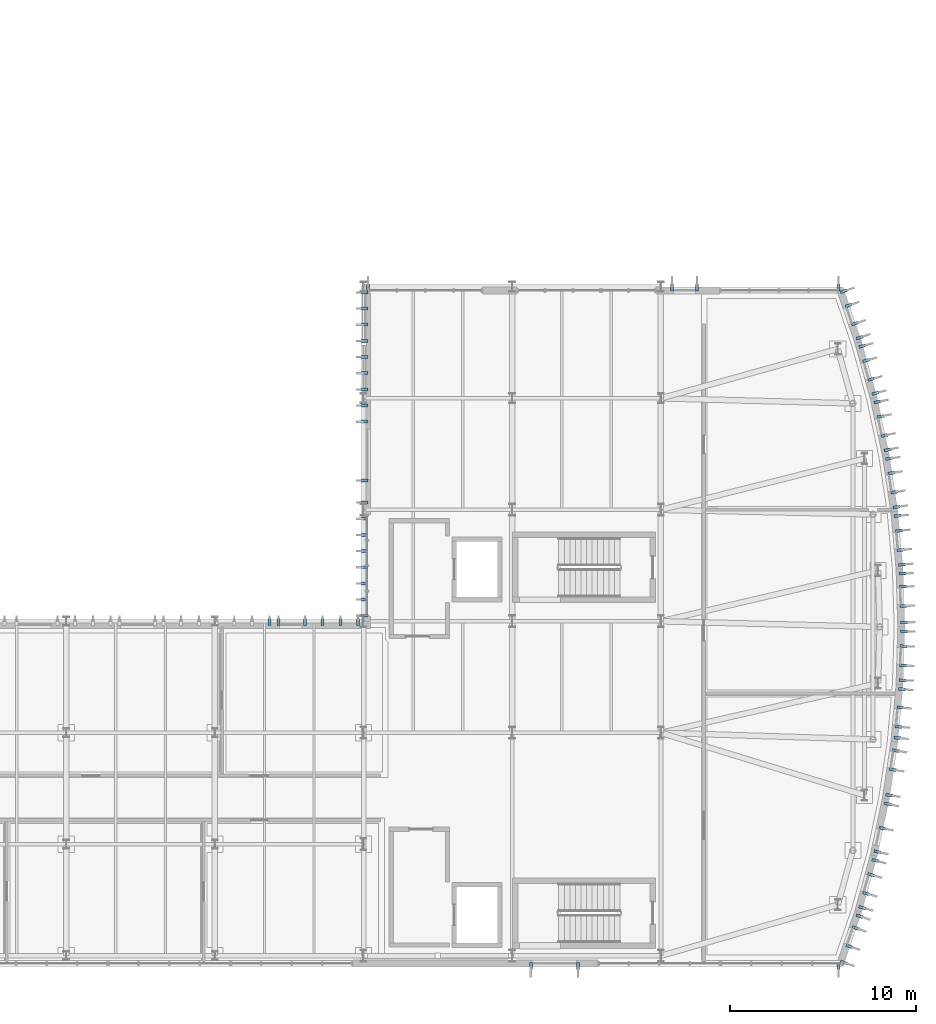
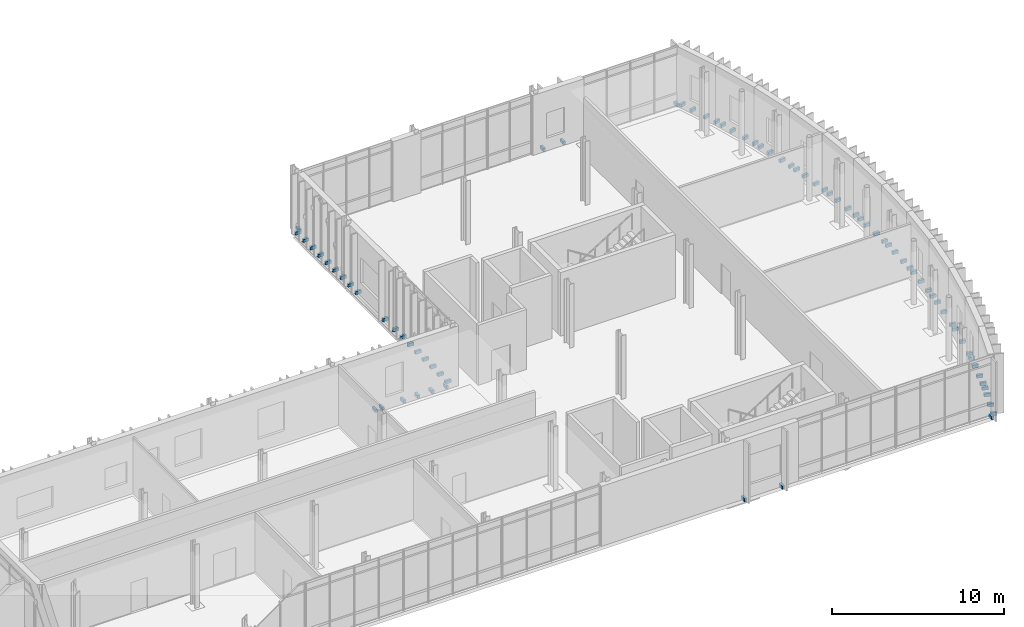
# One storey, part 78 of 100: 77 discrete accessories.
"""IFC4 building model written with IfcOpenShell, lengths in metres."""

import ifcopenshell
import ifcopenshell.guid

model = None  # the IFC model being written
_history = None  # IfcOwnerHistory: only IFC2X3 demands one
_inside = {}  # id of a spatial element -> (the spatial element, [elements in it])
_under = {}  # id of a project, library or spatial element -> (it, [spatial elements below it])
_declared = {}  # id of a project -> (the project, [libraries it declares])
_typed = {}  # id of a type object -> (the type object, [elements of that type])
_made_of = {}  # id of a material, layer set ... -> (it, [elements and type objects made of it])


def new_model(schema):
    """Start an empty IFC model of exactly this schema.

    Asked for "IFC4X3", IfcOpenShell would pick the latest addendum, in which some entities
    have other attributes; the version numbers below select the first issue.
    IFC2X3 requires an IfcOwnerHistory on every rooted entity: one is made here for all.
    """
    global model, _history
    if schema == "IFC4X3":
        model = ifcopenshell.file(schema_version=(4, 3, 0, 0))
    else:
        model = ifcopenshell.file(schema=schema)
    _inside.clear()
    _under.clear()
    _declared.clear()
    _typed.clear()
    _made_of.clear()
    _history = None
    if model.schema == "IFC2X3":
        org = make("IfcOrganization", Name="unknown")
        user = make(
            "IfcPersonAndOrganization",
            ThePerson=make("IfcPerson", FamilyName="unknown"),
            TheOrganization=org,
        )
        app = make(
            "IfcApplication",
            ApplicationDeveloper=org,
            Version="unknown",
            ApplicationFullName="unknown",
            ApplicationIdentifier="unknown",
        )
        _history = make(
            "IfcOwnerHistory",
            OwningUser=user,
            OwningApplication=app,
            ChangeAction="ADDED",
            CreationDate=0,
        )
    return model


def make(cls, **values):
    """One entity of the class cls with the attributes given. An attribute that is None is left unset."""
    return model.create_entity(
        cls, **{name: value for name, value in values.items() if value is not None}
    )


def rooted(cls, **values):
    """An entity with a GlobalId (a new one), such as an element, a storey or a relation."""
    return make(cls, GlobalId=ifcopenshell.guid.new(), OwnerHistory=_history, **values)


def si_unit(unit_type, name, prefix=None):
    """IfcSIUnit, for example si_unit("LENGTHUNIT", "METRE", prefix="MILLI")."""
    return make("IfcSIUnit", UnitType=unit_type, Prefix=prefix, Name=name)


def assignment(units):
    """IfcUnitAssignment: the units of a project."""
    return None if units is None else make("IfcUnitAssignment", Units=units)


def point(xyz):
    """IfcCartesianPoint."""
    return None if xyz is None else make("IfcCartesianPoint", Coordinates=xyz)


def direction(xyz):
    """IfcDirection."""
    return None if xyz is None else make("IfcDirection", DirectionRatios=xyz)


def frame(location, z_axis=None, x_axis=None):
    """IfcAxis2Placement3D, a coordinate frame: its origin and axes. An axis left out is left unset."""
    return make(
        "IfcAxis2Placement3D",
        Location=point(location),
        Axis=direction(z_axis),
        RefDirection=direction(x_axis),
    )


def frame_2d(location, x_axis=None):
    """IfcAxis2Placement2D, a coordinate frame in the plane: its origin and x axis."""
    return make(
        "IfcAxis2Placement2D", Location=point(location), RefDirection=direction(x_axis)
    )


def origin():
    """The frame at (0, 0, 0) with its axes left unset."""
    return frame((0.0, 0.0, 0.0))


def origin_2d():
    """The frame at (0, 0) in the plane with its x axis left unset."""
    return frame_2d((0.0, 0.0))


def place(relative_to, where):
    """IfcLocalPlacement: puts the frame where relative to a parent placement (None: the world)."""
    return make(
        "IfcLocalPlacement", PlacementRelTo=relative_to, RelativePlacement=where
    )


def context(
    kind, dimensions, precision=None, world=None, true_north=None, identifier=None
):
    """IfcGeometricRepresentationContext, for example the 3D "Model" context."""
    return make(
        "IfcGeometricRepresentationContext",
        ContextIdentifier=identifier,
        ContextType=kind,
        CoordinateSpaceDimension=dimensions,
        Precision=precision,
        WorldCoordinateSystem=world,
        TrueNorth=true_north,
    )


def subcontext(parent, identifier, kind, view, scale=None):
    """IfcGeometricRepresentationSubContext, for example "Body" below "Model"."""
    return make(
        "IfcGeometricRepresentationSubContext",
        ContextIdentifier=identifier,
        ContextType=kind,
        ParentContext=parent,
        TargetScale=scale,
        TargetView=view,
    )


def project(units=None, contexts=None):
    """IfcProject with its units and contexts."""
    return rooted(
        "IfcProject",
        Name="project",
        RepresentationContexts=contexts,
        UnitsInContext=assignment(units),
    )


def spatial(cls, under=None, at=None, **own):
    """A site, building, storey or space (cls), placed at a placement, below another one or the project."""
    s = rooted(cls, ObjectPlacement=at, **own)
    if under is not None:
        _under.setdefault(under.id(), (under, []))[1].append(s)
    return s


def profile(cls, at=None, kind="AREA", **sizes):
    """A parametric profile (cls). Its sizes go by their IFC names, for example OverallWidth=200.0."""
    return make(cls, ProfileType=kind, Position=at, **sizes)


def rectangle(**sizes):
    """IfcRectangleProfileDef."""
    return profile("IfcRectangleProfileDef", **sizes)


def extrude(swept, where, along, depth):
    """IfcExtrudedAreaSolid: the profile swept, set in the frame where, extruded along a direction by depth."""
    return make(
        "IfcExtrudedAreaSolid",
        SweptArea=swept,
        Position=where,
        ExtrudedDirection=direction(along),
        Depth=depth,
    )


def shape(context_of_items, identifier, shape_type, items):
    """IfcShapeRepresentation: the items that make up one representation, for example the "Body"."""
    return make(
        "IfcShapeRepresentation",
        ContextOfItems=context_of_items,
        RepresentationIdentifier=identifier,
        RepresentationType=shape_type,
        Items=items,
    )


def material(Name=None, Category=None):
    """IfcMaterial."""
    return make("IfcMaterial", Name=Name, Category=Category)


def made_of(thing, what):
    """Note that an element or type object is made of a material, layer set ...; save() writes the relation."""
    if what is not None:
        _made_of.setdefault(what.id(), (what, []))[1].append(thing)
    return thing


def type_object(cls, material=None, **own):
    """A type object (cls), such as IfcWallType, which elements share."""
    return made_of(rooted(cls, **own), material)


def element(
    cls,
    number,
    at=None,
    inside=None,
    cuts=None,
    type_object=None,
    material=None,
    context=None,
    identifier="Body",
    shape_type=None,
    held_by="IfcProductDefinitionShape",
    body=None,
    shapes=None,
    **own,
):
    """One element of the class cls, such as IfcWall. Its Tag is "e" and its number.

    at: its placement. inside: the storey or other place that contains it. cuts: it is an
    opening in that element (IfcRelVoidsElement). A single representation is given by context,
    identifier, shape_type and body (its items); several are given by shapes. held_by: the class
    of the entity that holds the representations. save() writes the other relations.
    """
    e = rooted(cls, Tag="e%d" % number, ObjectPlacement=at, **own)
    if body is not None:
        shapes = [shape(context, identifier, shape_type, body)]
    if shapes is not None:
        e.Representation = make(held_by, Representations=shapes)
    if inside is not None:
        _inside.setdefault(inside.id(), (inside, []))[1].append(e)
    if cuts is not None:
        rooted(
            "IfcRelVoidsElement", RelatingBuildingElement=cuts, RelatedOpeningElement=e
        )
    if type_object is not None:
        _typed.setdefault(type_object.id(), (type_object, []))[1].append(e)
    return made_of(e, material)


def aggregate(whole, parts):
    """IfcRelAggregates: a whole, such as a stair, and the parts it consists of."""
    return rooted("IfcRelAggregates", RelatingObject=whole, RelatedObjects=parts)


def save(model, path):
    """Write the relations noted so far, then the file.

    IfcRelAggregates (storeys below a building ...), IfcRelContainedInSpatialStructure (elements
    in a storey), IfcRelDefinesByType, IfcRelAssociatesMaterial and IfcRelDeclares: one each for
    every whole, place, type object, material and project.
    """
    for whole, parts in _under.values():
        aggregate(whole, parts)
    for where, things in _inside.values():
        rooted(
            "IfcRelContainedInSpatialStructure",
            RelatedElements=things,
            RelatingStructure=where,
        )
    for kind, things in _typed.values():
        rooted("IfcRelDefinesByType", RelatedObjects=things, RelatingType=kind)
    for what, things in _made_of.values():
        rooted("IfcRelAssociatesMaterial", RelatedObjects=things, RelatingMaterial=what)
    for by, libraries in _declared.values():
        rooted("IfcRelDeclares", RelatingContext=by, RelatedDefinitions=libraries)
    model.write(path)


model = new_model("IFC4")

# Units and contexts
model_context = context("Model", 3, precision=1e-05, world=origin(), true_north=direction((0.0, 1.0)))
body_context = subcontext(model_context, "Body", "Model", "MODEL_VIEW")
ifc_project = project(units=[si_unit("LENGTHUNIT", "METRE"), si_unit("AREAUNIT", "SQUARE_METRE"), si_unit("VOLUMEUNIT", "CUBIC_METRE"), si_unit("PLANEANGLEUNIT", "RADIAN"), si_unit("MASSUNIT", "GRAM", prefix="KILO")], contexts=[model_context])

# Site, building, storey
site_placement = place(None, origin())
site = spatial("IfcSite", under=ifc_project, at=site_placement, CompositionType="ELEMENT")
building_placement = place(site_placement, origin())
building = spatial("IfcBuilding", under=site, at=building_placement, Name="Cymarion Research Institute", CompositionType="ELEMENT")
storey_placement = place(building_placement, frame((0.0, 0.0, 4.800048828125)))
storey = spatial("IfcBuildingStorey", under=building, at=storey_placement, Name="L01", CompositionType="ELEMENT", Elevation=4.800048828125)

# Discrete accessories
ifc_material = material(Name="Steel S355", Category="steel")
discrete_accessory_type = type_object("IfcDiscreteAccessoryType", Name="STAINLESS STEEL FACADE FIN BRACKET FBK1", PredefinedType="BRACKET", material=ifc_material)
for number, where, z_axis, x_axis, name in (
    (1, (147.5966796875, 4.93994140625, -0.08984375), (0.0, 0.0, 1.0), (0.0, -1.0, 0.0), "L01 V1 precast fin anchor bracket #106"),
    (2, (150.13671875, 4.93994140625, -0.08984375), (0.0, 0.0, 1.0), (0.0, -1.0, 0.0), "L01 V1 precast fin anchor bracket #107"),
    (3, (164.159912109375, 4.93994140625, -0.08984375), (0.0, 0.0, 1.0), (0.0, -1.0, 0.0), "L01 V1 precast fin anchor bracket #108"),
    (4, (164.439697265625, 5.139892578125, -0.08984375), (0.0, 0.0, 1.0), (0.946141878672, -0.32375229022, 0.0), "L01 V1 precast fin anchor bracket #109"),
    (5, (164.7392578125, 6.014892578125, -0.08984375), (0.0, 0.0, 1.0), (0.946141878672, -0.32375229022, 0.0), "L01 V1 precast fin anchor bracket #110"),
    (6, (165.07568359375, 6.998779296875, -0.08984375), (0.0, 0.0, 1.0), (0.946141878672, -0.32375229022, 0.0), "L01 V1 precast fin anchor bracket #111"),
    (7, (165.293212890625, 7.634521484375, -0.08984375), (0.0, 0.0, 1.0), (0.946141878672, -0.32375229022, 0.0), "L01 V1 precast fin anchor bracket #112"),
    (8, (165.43408203125, 8.090576171875, -0.08984375), (0.0, 0.0, 1.0), (0.963863295733, -0.266397348219, 0.0), "L01 V1 precast fin anchor bracket #113"),
    (9, (165.645263671875, 8.853759765625, -0.08984375), (0.0, 0.0, 1.0), (0.963863295733, -0.266397348219, 0.0), "L01 V1 precast fin anchor bracket #114"),
    (10, (165.92236328125, 9.856201171875, -0.08984375), (0.0, 0.0, 1.0), (0.963863295733, -0.266397348219, 0.0), "L01 V1 precast fin anchor bracket #115"),
    (11, (166.13671875, 10.631591796875, -0.08984375), (0.0, 0.0, 1.0), (0.963863295733, -0.266397348219, 0.0), "L01 V1 precast fin anchor bracket #116"),
    (12, (166.25, 11.09521484375, -0.08984375), (0.0, 0.0, 1.0), (0.978074966272, -0.208253116068, 0.0), "L01 V1 precast fin anchor bracket #117"),
    (13, (166.52099609375, 12.36767578125, -0.08984375), (0.0, 0.0, 1.0), (0.978074966272, -0.208253116068, 0.0), "L01 V1 precast fin anchor bracket #118"),
    (14, (166.799072265625, 13.673583984375, -0.08984375), (0.0, 0.0, 1.0), (0.978074966272, -0.208253116068, 0.0), "L01 V1 precast fin anchor bracket #119"),
    (15, (166.884521484375, 14.143310546875, -0.08984375), (0.0, 0.0, 1.0), (0.988782464828, -0.149362770624, 0.0), "L01 V1 precast fin anchor bracket #120"),
    (16, (167.091064453125, 15.511962890625, -0.08984375), (0.0, 0.0, 1.0), (0.988782464828, -0.149362770624, 0.0), "L01 V1 precast fin anchor bracket #121"),
    (17, (167.24609375, 16.540283203125, -0.08984375), (0.0, 0.0, 1.0), (0.988782464828, -0.149362770624, 0.0), "L01 V1 precast fin anchor bracket #122"),
    (18, (167.3349609375, 17.22412109375, -0.08984375), (0.0, 0.0, 1.0), (0.995963111248, -0.089763472712, 0.0), "L01 V1 precast fin anchor bracket #123"),
    (19, (167.389404296875, 17.82763671875, -0.08984375), (0.0, 0.0, 1.0), (0.995963111248, -0.089763472712, 0.0), "L01 V1 precast fin anchor bracket #124"),
    (20, (167.48291015625, 18.86328125, -0.08984375), (0.0, 0.0, 1.0), (0.995963111248, -0.089763472712, 0.0), "L01 V1 precast fin anchor bracket #125"),
    (21, (167.57177734375, 19.849609375, -0.08984375), (0.0, 0.0, 1.0), (0.995963111248, -0.089763472712, 0.0), "L01 V1 precast fin anchor bracket #126"),
    (22, (167.600341796875, 20.326171875, -0.08984375), (0.0, 0.0, 1.0), (0.99954944375, -0.030015154483, 0.0), "L01 V1 precast fin anchor bracket #127"),
    (23, (167.6240234375, 21.117919921875, -0.08984375), (0.0, 0.0, 1.0), (0.99954944375, -0.030015154483, 0.0), "L01 V1 precast fin anchor bracket #128"),
    (24, (167.6552734375, 22.157470703125, -0.08984375), (0.0, 0.0, 1.0), (0.99954944375, -0.030015154483, 0.0), "L01 V1 precast fin anchor bracket #129"),
    (25, (167.67919921875, 22.961181640625, -0.08984375), (0.0, 0.0, 1.0), (0.99954944375, -0.030015154483, 0.0), "L01 V1 precast fin anchor bracket #130"),
    (26, (167.67919921875, 23.438720703125, -0.08984375), (0.0, 0.0, 1.0), (0.99954944375, 0.030015154483, 0.0), "L01 V1 precast fin anchor bracket #131"),
    (27, (167.652587890625, 24.330322265625, -0.08984375), (0.0, 0.0, 1.0), (0.99954944375, 0.030015154483, 0.0), "L01 V1 precast fin anchor bracket #132"),
    (28, (167.621337890625, 25.369873046875, -0.08984375), (0.0, 0.0, 1.0), (0.99954944375, 0.030015154483, 0.0), "L01 V1 precast fin anchor bracket #133"),
    (29, (167.600341796875, 26.07373046875, -0.08984375), (0.0, 0.0, 1.0), (0.99954944375, 0.030015154483, 0.0), "L01 V1 precast fin anchor bracket #134"),
    (30, (167.57177734375, 26.55029296875, -0.08984375), (0.0, 0.0, 1.0), (0.995963111248, 0.089763472712, 0.0), "L01 V1 precast fin anchor bracket #135"),
    (31, (167.50048828125, 27.339111328125, -0.08984375), (0.0, 0.0, 1.0), (0.995963111248, 0.089763472712, 0.0), "L01 V1 precast fin anchor bracket #136"),
    (32, (167.4072265625, 28.375, -0.08984375), (0.0, 0.0, 1.0), (0.995963111248, 0.089763472712, 0.0), "L01 V1 precast fin anchor bracket #137"),
    (33, (167.3349609375, 29.176025390625, -0.08984375), (0.0, 0.0, 1.0), (0.995963111248, 0.089763472712, 0.0), "L01 V1 precast fin anchor bracket #138"),
    (34, (167.27783203125, 29.64990234375, -0.08984375), (0.0, 0.0, 1.0), (0.988782464828, 0.149362770624, 0.0), "L01 V1 precast fin anchor bracket #139"),
    (35, (167.156982421875, 30.450927734375, -0.08984375), (0.0, 0.0, 1.0), (0.988782464828, 0.149362770624, 0.0), "L01 V1 precast fin anchor bracket #140"),
    (36, (167.001708984375, 31.479248046875, -0.08984375), (0.0, 0.0, 1.0), (0.988782464828, 0.149362770624, 0.0), "L01 V1 precast fin anchor bracket #141"),
    (37, (166.884521484375, 32.256591796875, -0.08984375), (0.0, 0.0, 1.0), (0.988782464828, 0.149362770624, 0.0), "L01 V1 precast fin anchor bracket #142"),
    (38, (166.799072265625, 32.726318359375, -0.08984375), (0.0, 0.0, 1.0), (0.978074966272, 0.208253116068, 0.0), "L01 V1 precast fin anchor bracket #143"),
    (39, (166.634033203125, 33.5009765625, -0.08984375), (0.0, 0.0, 1.0), (0.978074966272, 0.208253116068, 0.0), "L01 V1 precast fin anchor bracket #144"),
    (40, (166.41748046875, 34.518310546875, -0.08984375), (0.0, 0.0, 1.0), (0.978074966272, 0.208253116068, 0.0), "L01 V1 precast fin anchor bracket #145"),
    (41, (166.25, 35.3046875, -0.08984375), (0.0, 0.0, 1.0), (0.978074966272, 0.208253116068, 0.0), "L01 V1 precast fin anchor bracket #146"),
    (42, (166.13671875, 35.7685546875, -0.08984375), (0.0, 0.0, 1.0), (0.963863295733, 0.266397348219, 0.0), "L01 V1 precast fin anchor bracket #147"),
    (43, (165.925537109375, 36.531982421875, -0.08984375), (0.0, 0.0, 1.0), (0.963863295733, 0.266397348219, 0.0), "L01 V1 precast fin anchor bracket #148"),
    (44, (165.6484375, 37.5341796875, -0.08984375), (0.0, 0.0, 1.0), (0.963863295733, 0.266397348219, 0.0), "L01 V1 precast fin anchor bracket #149"),
    (45, (165.43408203125, 38.3095703125, -0.08984375), (0.0, 0.0, 1.0), (0.963863295733, 0.266397348219, 0.0), "L01 V1 precast fin anchor bracket #150"),
    (46, (165.293212890625, 38.765625, -0.08984375), (0.0, 0.0, 1.0), (0.946141878672, 0.32375229022, 0.0), "L01 V1 precast fin anchor bracket #151"),
    (47, (165.036865234375, 39.514892578125, -0.08984375), (0.0, 0.0, 1.0), (0.946141878672, 0.32375229022, 0.0), "L01 V1 precast fin anchor bracket #152"),
    (48, (164.7001953125, 40.4990234375, -0.08984375), (0.0, 0.0, 1.0), (0.946141878672, 0.32375229022, 0.0), "L01 V1 precast fin anchor bracket #153"),
    (49, (164.439697265625, 41.260009765625, -0.08984375), (0.0, 0.0, 1.0), (0.946141878672, 0.32375229022, 0.0), "L01 V1 precast fin anchor bracket #154"),
    (50, (164.159912109375, 41.4599609375, -0.08984375), (0.0, 0.0, 1.0), (0.0, 1.0, 0.0), "L01 V1 precast fin anchor bracket #155"),
    (51, (156.539794921875, 41.4599609375, -0.08984375), (0.0, 0.0, 1.0), (0.0, 1.0, 0.0), "L01 V1 precast fin anchor bracket #156"),
    (52, (155.19970703125, 41.4599609375, -0.08984375), (0.0, 0.0, 1.0), (0.0, 1.0, 0.0), "L01 V1 precast fin anchor bracket #157"),
    (53, (138.840087890625, 41.4599609375, -0.08984375), (0.0, 0.0, 1.0), (0.0, 1.0, 0.0), "L01 V1 precast fin anchor bracket #158"),
    (54, (138.639892578125, 41.199951171875, -0.08984375), (0.0, 0.0, 1.0), (-1.0, 0.0, 0.0), "L01 V1 precast fin anchor bracket #159"),
    (55, (138.639892578125, 40.330078125, -0.08984375), (0.0, 0.0, 1.0), (-1.0, 0.0, 0.0), "L01 V1 precast fin anchor bracket #160"),
    (56, (138.639892578125, 39.4599609375, -0.08984375), (0.0, 0.0, 1.0), (-1.0, 0.0, 0.0), "L01 V1 precast fin anchor bracket #161"),
    (57, (138.639892578125, 38.590087890625, -0.08984375), (0.0, 0.0, 1.0), (-1.0, 0.0, 0.0), "L01 V1 precast fin anchor bracket #162"),
    (58, (138.639892578125, 37.719970703125, -0.08984375), (0.0, 0.0, 1.0), (-1.0, 0.0, 0.0), "L01 V1 precast fin anchor bracket #163"),
    (59, (138.639892578125, 36.85009765625, -0.08984375), (0.0, 0.0, 1.0), (-1.0, 0.0, 0.0), "L01 V1 precast fin anchor bracket #164"),
    (60, (138.639892578125, 35.97998046875, -0.08984375), (0.0, 0.0, 1.0), (-1.0, 0.0, 0.0), "L01 V1 precast fin anchor bracket #165"),
    (61, (138.639892578125, 35.110107421875, -0.08984375), (0.0, 0.0, 1.0), (-1.0, 0.0, 0.0), "L01 V1 precast fin anchor bracket #166"),
    (62, (138.639892578125, 34.239990234375, -0.08984375), (0.0, 0.0, 1.0), (-1.0, 0.0, 0.0), "L01 V1 precast fin anchor bracket #167"),
    (63, (138.639892578125, 31.080078125, -0.08984375), (0.0, 0.0, 1.0), (-1.0, 0.0, 0.0), "L01 V1 precast fin anchor bracket #168"),
    (64, (138.639892578125, 29.889892578125, -0.08984375), (0.0, 0.0, 1.0), (-1.0, 0.0, 0.0), "L01 V1 precast fin anchor bracket #169"),
    (65, (138.639892578125, 29.02001953125, -0.08984375), (0.0, 0.0, 1.0), (-1.0, 0.0, 0.0), "L01 V1 precast fin anchor bracket #170"),
    (66, (138.639892578125, 28.14990234375, -0.08984375), (0.0, 0.0, 1.0), (-1.0, 0.0, 0.0), "L01 V1 precast fin anchor bracket #171"),
    (67, (138.639892578125, 27.280029296875, -0.08984375), (0.0, 0.0, 1.0), (-1.0, 0.0, 0.0), "L01 V1 precast fin anchor bracket #172"),
    (68, (138.639892578125, 26.409912109375, -0.08984375), (0.0, 0.0, 1.0), (-1.0, 0.0, 0.0), "L01 V1 precast fin anchor bracket #173"),
    (69, (138.639892578125, 25.5400390625, -0.08984375), (0.0, 0.0, 1.0), (-1.0, 0.0, 0.0), "L01 V1 precast fin anchor bracket #174"),
    (70, (138.639892578125, 24.669921875, -0.08984375), (0.0, 0.0, 1.0), (-1.0, 0.0, 0.0), "L01 V1 precast fin anchor bracket #175"),
    (71, (138.639892578125, 23.800048828125, -0.08984375), (0.0, 0.0, 1.0), (-1.0, 0.0, 0.0), "L01 V1 precast fin anchor bracket #176"),
    (72, (138.300048828125, 23.4599609375, -0.08984375), (0.0, 0.0, 1.0), (0.0, 1.0, 0.0), "L01 V1 precast fin anchor bracket #177"),
    (73, (137.3486328125, 23.4599609375, -0.08984375), (0.0, 0.0, 1.0), (0.0, 1.0, 0.0), "L01 V1 precast fin anchor bracket #178"),
    (74, (136.397216796875, 23.4599609375, -0.08984375), (0.0, 0.0, 1.0), (0.0, 1.0, 0.0), "L01 V1 precast fin anchor bracket #179"),
    (75, (135.44580078125, 23.4599609375, -0.08984375), (0.0, 0.0, 1.0), (0.0, 1.0, 0.0), "L01 V1 precast fin anchor bracket #180"),
    (76, (134.02001953125, 23.4599609375, -0.08984375), (0.0, 0.0, 1.0), (0.0, 1.0, 0.0), "L01 V1 precast fin anchor bracket #181"),
    (77, (133.54296875, 23.4599609375, -0.08984375), (0.0, 0.0, 1.0), (0.0, 1.0, 0.0), "L01 V1 precast fin anchor bracket #182"),
):
    element("IfcDiscreteAccessory", number, at=place(storey_placement, frame(where, z_axis=z_axis, x_axis=x_axis)), inside=storey, type_object=discrete_accessory_type, Name=name, PredefinedType="BRACKET", context=body_context, shape_type="SweptSolid", body=[
        extrude(rectangle(XDim=0.3798828125, YDim=0.159912109375, at=origin_2d()), origin(), (0.0, 0.0, 1.0), 0.219970703125),
    ])

save(model, "model.ifc")
